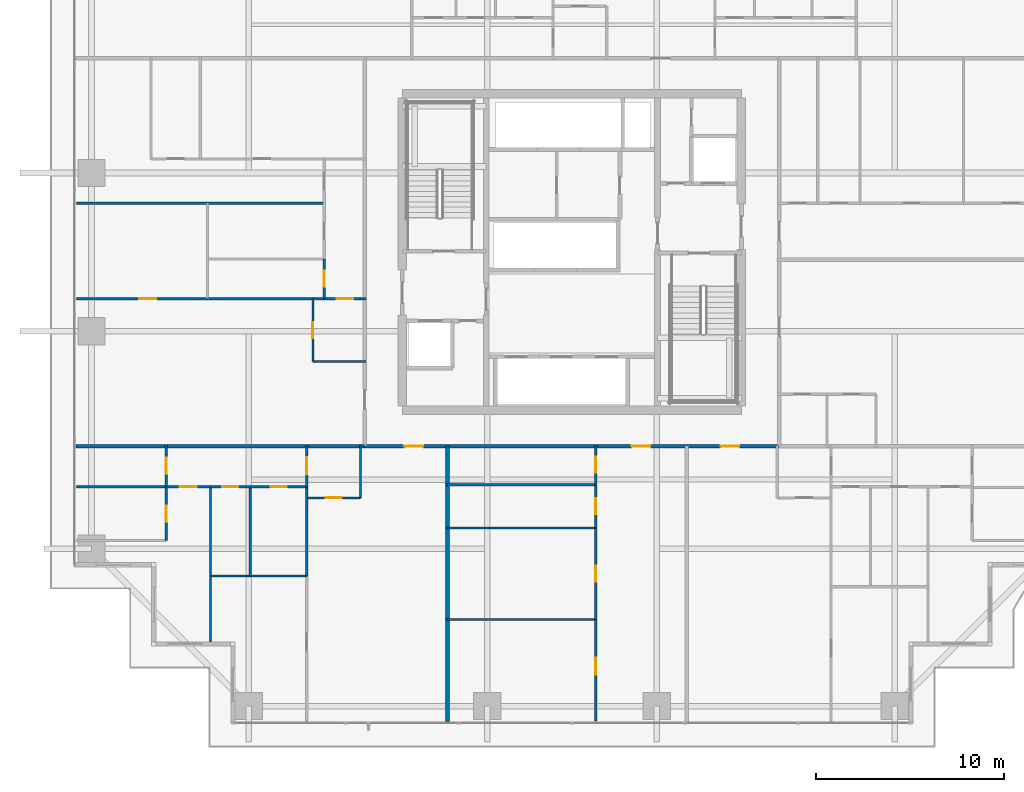
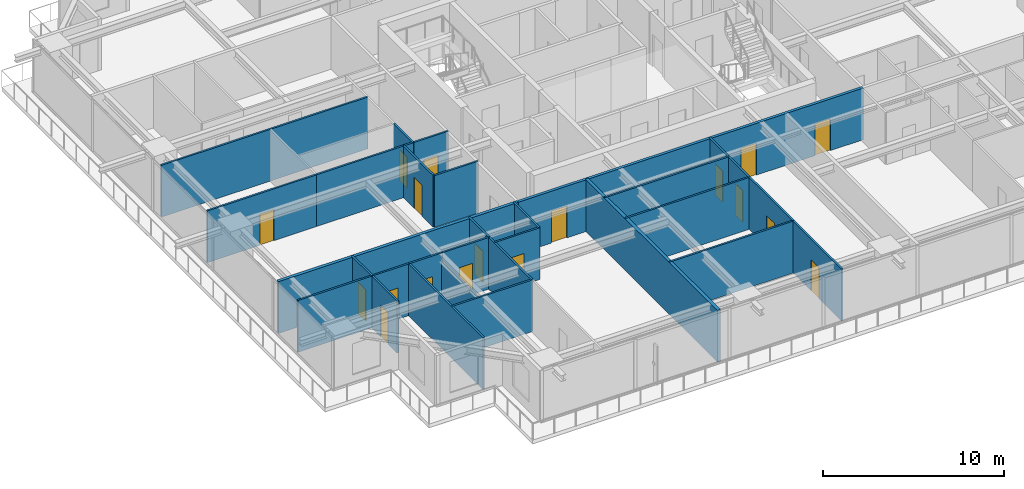
# One storey, part 26 of 38: 30 walls, 18 doors, 18 openings.
"""IFC4 building model written with IfcOpenShell, lengths in metres."""

import ifcopenshell
import ifcopenshell.guid

model = None  # the IFC model being written
_history = None  # IfcOwnerHistory: only IFC2X3 demands one
_inside = {}  # id of a spatial element -> (the spatial element, [elements in it])
_under = {}  # id of a project, library or spatial element -> (it, [spatial elements below it])
_declared = {}  # id of a project -> (the project, [libraries it declares])
_typed = {}  # id of a type object -> (the type object, [elements of that type])
_made_of = {}  # id of a material, layer set ... -> (it, [elements and type objects made of it])


def new_model(schema):
    """Start an empty IFC model of exactly this schema.

    Asked for "IFC4X3", IfcOpenShell would pick the latest addendum, in which some entities
    have other attributes; the version numbers below select the first issue.
    IFC2X3 requires an IfcOwnerHistory on every rooted entity: one is made here for all.
    """
    global model, _history
    if schema == "IFC4X3":
        model = ifcopenshell.file(schema_version=(4, 3, 0, 0))
    else:
        model = ifcopenshell.file(schema=schema)
    _inside.clear()
    _under.clear()
    _declared.clear()
    _typed.clear()
    _made_of.clear()
    _history = None
    if model.schema == "IFC2X3":
        org = make("IfcOrganization", Name="unknown")
        user = make(
            "IfcPersonAndOrganization",
            ThePerson=make("IfcPerson", FamilyName="unknown"),
            TheOrganization=org,
        )
        app = make(
            "IfcApplication",
            ApplicationDeveloper=org,
            Version="unknown",
            ApplicationFullName="unknown",
            ApplicationIdentifier="unknown",
        )
        _history = make(
            "IfcOwnerHistory",
            OwningUser=user,
            OwningApplication=app,
            ChangeAction="ADDED",
            CreationDate=0,
        )
    return model


def make(cls, **values):
    """One entity of the class cls with the attributes given. An attribute that is None is left unset."""
    return model.create_entity(
        cls, **{name: value for name, value in values.items() if value is not None}
    )


def rooted(cls, **values):
    """An entity with a GlobalId (a new one), such as an element, a storey or a relation."""
    return make(cls, GlobalId=ifcopenshell.guid.new(), OwnerHistory=_history, **values)


def si_unit(unit_type, name, prefix=None):
    """IfcSIUnit, for example si_unit("LENGTHUNIT", "METRE", prefix="MILLI")."""
    return make("IfcSIUnit", UnitType=unit_type, Prefix=prefix, Name=name)


def assignment(units):
    """IfcUnitAssignment: the units of a project."""
    return None if units is None else make("IfcUnitAssignment", Units=units)


def point(xyz):
    """IfcCartesianPoint."""
    return None if xyz is None else make("IfcCartesianPoint", Coordinates=xyz)


def direction(xyz):
    """IfcDirection."""
    return None if xyz is None else make("IfcDirection", DirectionRatios=xyz)


def frame(location, z_axis=None, x_axis=None):
    """IfcAxis2Placement3D, a coordinate frame: its origin and axes. An axis left out is left unset."""
    return make(
        "IfcAxis2Placement3D",
        Location=point(location),
        Axis=direction(z_axis),
        RefDirection=direction(x_axis),
    )


def frame_2d(location, x_axis=None):
    """IfcAxis2Placement2D, a coordinate frame in the plane: its origin and x axis."""
    return make(
        "IfcAxis2Placement2D", Location=point(location), RefDirection=direction(x_axis)
    )


def origin():
    """The frame at (0, 0, 0) with its axes left unset."""
    return frame((0.0, 0.0, 0.0))


def place(relative_to, where):
    """IfcLocalPlacement: puts the frame where relative to a parent placement (None: the world)."""
    return make(
        "IfcLocalPlacement", PlacementRelTo=relative_to, RelativePlacement=where
    )


def context(
    kind, dimensions, precision=None, world=None, true_north=None, identifier=None
):
    """IfcGeometricRepresentationContext, for example the 3D "Model" context."""
    return make(
        "IfcGeometricRepresentationContext",
        ContextIdentifier=identifier,
        ContextType=kind,
        CoordinateSpaceDimension=dimensions,
        Precision=precision,
        WorldCoordinateSystem=world,
        TrueNorth=true_north,
    )


def subcontext(parent, identifier, kind, view, scale=None):
    """IfcGeometricRepresentationSubContext, for example "Body" below "Model"."""
    return make(
        "IfcGeometricRepresentationSubContext",
        ContextIdentifier=identifier,
        ContextType=kind,
        ParentContext=parent,
        TargetScale=scale,
        TargetView=view,
    )


def project(units=None, contexts=None):
    """IfcProject with its units and contexts."""
    return rooted(
        "IfcProject",
        Name="project",
        RepresentationContexts=contexts,
        UnitsInContext=assignment(units),
    )


def spatial(cls, under=None, at=None, **own):
    """A site, building, storey or space (cls), placed at a placement, below another one or the project."""
    s = rooted(cls, ObjectPlacement=at, **own)
    if under is not None:
        _under.setdefault(under.id(), (under, []))[1].append(s)
    return s


def profile(cls, at=None, kind="AREA", **sizes):
    """A parametric profile (cls). Its sizes go by their IFC names, for example OverallWidth=200.0."""
    return make(cls, ProfileType=kind, Position=at, **sizes)


def rectangle(**sizes):
    """IfcRectangleProfileDef."""
    return profile("IfcRectangleProfileDef", **sizes)


def extrude(swept, where, along, depth):
    """IfcExtrudedAreaSolid: the profile swept, set in the frame where, extruded along a direction by depth."""
    return make(
        "IfcExtrudedAreaSolid",
        SweptArea=swept,
        Position=where,
        ExtrudedDirection=direction(along),
        Depth=depth,
    )


def shape(context_of_items, identifier, shape_type, items):
    """IfcShapeRepresentation: the items that make up one representation, for example the "Body"."""
    return make(
        "IfcShapeRepresentation",
        ContextOfItems=context_of_items,
        RepresentationIdentifier=identifier,
        RepresentationType=shape_type,
        Items=items,
    )


def source(mapping_origin, context_of_items, identifier, shape_type, items):
    """IfcRepresentationMap: a shape defined once, which mapped items show again and again."""
    return make(
        "IfcRepresentationMap",
        MappingOrigin=mapping_origin,
        MappedRepresentation=shape(context_of_items, identifier, shape_type, items),
    )


def transform(
    local_origin,
    x_axis=None,
    y_axis=None,
    z_axis=None,
    scale=None,
    scale2=None,
    scale3=None,
    uniform=True,
):
    """IfcCartesianTransformationOperator3D, or its non-uniform kind. x_axis, y_axis, z_axis: its Axis1, 2, 3."""
    if uniform:
        return make(
            "IfcCartesianTransformationOperator3D",
            Axis1=direction(x_axis),
            Axis2=direction(y_axis),
            LocalOrigin=point(local_origin),
            Scale=scale,
            Axis3=direction(z_axis),
        )
    return make(
        "IfcCartesianTransformationOperator3DnonUniform",
        Axis1=direction(x_axis),
        Axis2=direction(y_axis),
        LocalOrigin=point(local_origin),
        Scale=scale,
        Axis3=direction(z_axis),
        Scale2=scale2,
        Scale3=scale3,
    )


def mapped(mapping_source, mapping_target):
    """IfcMappedItem: shows the shape of a source again, moved by a transform."""
    return make(
        "IfcMappedItem", MappingSource=mapping_source, MappingTarget=mapping_target
    )


def material(Name=None, Category=None):
    """IfcMaterial."""
    return make("IfcMaterial", Name=Name, Category=Category)


def layer(
    of_material, thickness, ventilated=None, Name=None, Category=None, Priority=None
):
    """IfcMaterialLayer: one layer of a wall or slab, of a material (None: an air gap)."""
    return make(
        "IfcMaterialLayer",
        Material=of_material,
        LayerThickness=thickness,
        IsVentilated=ventilated,
        Name=Name,
        Category=Category,
        Priority=Priority,
    )


def layer_set(layers, Name=None):
    """IfcMaterialLayerSet."""
    return make("IfcMaterialLayerSet", MaterialLayers=layers, LayerSetName=Name)


def made_of(thing, what):
    """Note that an element or type object is made of a material, layer set ...; save() writes the relation."""
    if what is not None:
        _made_of.setdefault(what.id(), (what, []))[1].append(thing)
    return thing


def type_object(cls, material=None, **own):
    """A type object (cls), such as IfcWallType, which elements share."""
    return made_of(rooted(cls, **own), material)


def element(
    cls,
    number,
    at=None,
    inside=None,
    cuts=None,
    type_object=None,
    material=None,
    context=None,
    identifier="Body",
    shape_type=None,
    held_by="IfcProductDefinitionShape",
    body=None,
    shapes=None,
    **own,
):
    """One element of the class cls, such as IfcWall. Its Tag is "e" and its number.

    at: its placement. inside: the storey or other place that contains it. cuts: it is an
    opening in that element (IfcRelVoidsElement). A single representation is given by context,
    identifier, shape_type and body (its items); several are given by shapes. held_by: the class
    of the entity that holds the representations. save() writes the other relations.
    """
    e = rooted(cls, Tag="e%d" % number, ObjectPlacement=at, **own)
    if body is not None:
        shapes = [shape(context, identifier, shape_type, body)]
    if shapes is not None:
        e.Representation = make(held_by, Representations=shapes)
    if inside is not None:
        _inside.setdefault(inside.id(), (inside, []))[1].append(e)
    if cuts is not None:
        rooted(
            "IfcRelVoidsElement", RelatingBuildingElement=cuts, RelatedOpeningElement=e
        )
    if type_object is not None:
        _typed.setdefault(type_object.id(), (type_object, []))[1].append(e)
    return made_of(e, material)


def fill(opening, filler):
    """IfcRelFillsElement: the door or window that sits in an opening."""
    return rooted(
        "IfcRelFillsElement",
        RelatingOpeningElement=opening,
        RelatedBuildingElement=filler,
    )


def aggregate(whole, parts):
    """IfcRelAggregates: a whole, such as a stair, and the parts it consists of."""
    return rooted("IfcRelAggregates", RelatingObject=whole, RelatedObjects=parts)


def save(model, path):
    """Write the relations noted so far, then the file.

    IfcRelAggregates (storeys below a building ...), IfcRelContainedInSpatialStructure (elements
    in a storey), IfcRelDefinesByType, IfcRelAssociatesMaterial and IfcRelDeclares: one each for
    every whole, place, type object, material and project.
    """
    for whole, parts in _under.values():
        aggregate(whole, parts)
    for where, things in _inside.values():
        rooted(
            "IfcRelContainedInSpatialStructure",
            RelatedElements=things,
            RelatingStructure=where,
        )
    for kind, things in _typed.values():
        rooted("IfcRelDefinesByType", RelatedObjects=things, RelatingType=kind)
    for what, things in _made_of.values():
        rooted("IfcRelAssociatesMaterial", RelatedObjects=things, RelatingMaterial=what)
    for by, libraries in _declared.values():
        rooted("IfcRelDeclares", RelatingContext=by, RelatedDefinitions=libraries)
    model.write(path)


model = new_model("IFC4")

# Units and contexts
model_context = context("Model", 3, precision=1e-05, world=origin(), true_north=direction((0.0, 1.0)))
body_context = subcontext(model_context, "Body", "Model", "MODEL_VIEW")
ifc_project = project(units=[si_unit("LENGTHUNIT", "METRE"), si_unit("AREAUNIT", "SQUARE_METRE"), si_unit("VOLUMEUNIT", "CUBIC_METRE"), si_unit("PLANEANGLEUNIT", "RADIAN"), si_unit("MASSUNIT", "GRAM", prefix="KILO")], contexts=[model_context])

# Site, building, storey
site_placement = place(None, origin())
site = spatial("IfcSite", under=ifc_project, at=site_placement, CompositionType="ELEMENT")
building_placement = place(site_placement, origin())
building = spatial("IfcBuilding", under=site, at=building_placement, Name="Serunith Strait Residences", CompositionType="ELEMENT")
storey_placement = place(building_placement, frame((0.0, 0.0, 52.949951171875)))
storey = spatial("IfcBuildingStorey", under=building, at=storey_placement, Name="L12", CompositionType="ELEMENT", Elevation=52.949951171875)

# Wall, openings, doors
ifc_material_1 = material(Name="Fire-rated acoustic gypsum partition")
ifc_layer_1 = layer(ifc_material_1, 0.179931640625, Name="Fire-rated acoustic gypsum partition")
ifc_layer_set_1 = layer_set([ifc_layer_1], Name="Fire-rated acoustic gypsum partition")
wall_type_1 = type_object("IfcWallType", Name="IW-CORR-180", PredefinedType="PARTITIONING", material=ifc_layer_set_1)
wall_1_placement = place(storey_placement, frame((21.402099609375, 14.89990234375, 0.0), z_axis=(0.0, 0.0, 1.0), x_axis=(1.0, 0.0, 0.0)))
wall_1 = element("IfcWall", 1, at=wall_1_placement, inside=storey, type_object=wall_type_1, Name="L12 Partition Wall 022", PredefinedType="PARTITIONING", context=body_context, shape_type="SweptSolid", body=[
    extrude(rectangle(XDim=21.995849609375, YDim=0.179931640625, at=frame_2d((10.998046875, 0.0))), origin(), (0.0, 0.0, 1.0), 3.489990234375),
])
opening_1_placement = place(wall_1_placement, frame((2.10009765625, 0.0, 0.0)))
opening_1 = element("IfcOpeningElement", 2, at=opening_1_placement, cuts=wall_1, Name="Opening D-APT1000", PredefinedType="OPENING", context=body_context, shape_type="SweptSolid", body=[
    extrude(rectangle(XDim=1.0, YDim=2.14990234375, at=frame_2d((0.5, 1.074951171875))), frame((0.0, 0.10009765625, 0.0), z_axis=(0.0, -1.0, 0.0), x_axis=(1.0, 0.0, 0.0)), (0.0, 0.0, 1.0), 0.199951171875),
])
opening_2_placement = place(wall_1_placement, frame((14.172119140625, 0.0, 0.0)))
opening_2 = element("IfcOpeningElement", 3, at=opening_2_placement, cuts=wall_1, Name="Opening D-APT1000", PredefinedType="OPENING", context=body_context, shape_type="SweptSolid", body=[
    extrude(rectangle(XDim=1.0, YDim=2.14990234375, at=frame_2d((0.5, 1.074951171875))), frame((0.0, 0.10009765625, 0.0), z_axis=(0.0, -1.0, 0.0), x_axis=(1.0, 0.0, 0.0)), (0.0, 0.0, 1.0), 0.199951171875),
])
opening_3_placement = place(wall_1_placement, frame((18.89599609375, 0.0, 0.0)))
opening_3 = element("IfcOpeningElement", 4, at=opening_3_placement, cuts=wall_1, Name="Opening D-APT1000", PredefinedType="OPENING", context=body_context, shape_type="SweptSolid", body=[
    extrude(rectangle(XDim=1.0, YDim=2.14990234375, at=frame_2d((0.5, 1.074951171875))), frame((0.0, 0.10009765625, 0.0), z_axis=(0.0, -1.0, 0.0), x_axis=(1.0, 0.0, 0.0)), (0.0, 0.0, 1.0), 0.199951171875),
])
ifc_material_2 = material(Name="Solid timber engineered fire door", Category="wood")
door_type_1 = type_object("IfcDoorType", Name="ID-APT-1000", OperationType="NOTDEFINED", PredefinedType="DOOR", material=ifc_material_2)
shared_shape_1 = source(origin(), body_context, "Body", "SweptSolid", [
    extrude(rectangle(XDim=1.0, YDim=2.14990234375, at=frame_2d((0.5, 1.074951171875))), frame((0.0, 0.02490234375, 0.0), z_axis=(0.0, -1.0, 0.0), x_axis=(1.0, 0.0, 0.0)), (0.0, 0.0, 1.0), 0.050048828125),
])
door_1_placement = place(opening_1_placement, origin())
door_1 = element("IfcDoor", 5, at=door_1_placement, inside=storey, type_object=door_type_1, Name="L12 Unit 01 Entrance Door", OperationType="SINGLE_SWING_LEFT", OverallHeight=2.14990234375, OverallWidth=1.0, PredefinedType="DOOR", context=body_context, shape_type="MappedRepresentation", body=[
    mapped(shared_shape_1, transform((0.0, 0.0, 0.0), scale=1.0)),
])
fill(opening_1, door_1)
door_2_placement = place(opening_2_placement, origin())
door_2 = element("IfcDoor", 6, at=door_2_placement, inside=storey, type_object=door_type_1, Name="L12 Unit 02 Entrance Door", OperationType="SINGLE_SWING_RIGHT", OverallHeight=2.14990234375, OverallWidth=1.0, PredefinedType="DOOR", context=body_context, shape_type="MappedRepresentation", body=[
    mapped(shared_shape_1, transform((0.0, 0.0, 0.0), scale=1.0)),
])
fill(opening_2, door_2)
door_3_placement = place(opening_3_placement, origin())
door_3 = element("IfcDoor", 7, at=door_3_placement, inside=storey, type_object=door_type_1, Name="L12 Unit 03 Entrance Door", OperationType="SINGLE_SWING_LEFT", OverallHeight=2.14990234375, OverallWidth=1.0, PredefinedType="DOOR", context=body_context, shape_type="MappedRepresentation", body=[
    mapped(shared_shape_1, transform((0.0, 0.0, 0.0), scale=1.0)),
])
fill(opening_3, door_3)

# Wall, opening, door
ifc_material_3 = material(Name="Lightweight steel-stud gypsum partition", Category="steel")
ifc_layer_2 = layer(ifc_material_3, 0.1201171875, Name="Lightweight steel-stud gypsum partition")
ifc_layer_set_2 = layer_set([ifc_layer_2], Name="Lightweight steel-stud gypsum partition")
wall_type_2 = type_object("IfcWallType", Name="IW-PART-120", PredefinedType="PARTITIONING", material=ifc_layer_set_2)
wall_2_placement = place(storey_placement, frame((18.330078125, 12.14990234375, 0.0), z_axis=(0.0, 0.0, 1.0), x_axis=(1.0, 0.0, 0.0)))
wall_2 = element("IfcWall", 8, at=wall_2_placement, inside=storey, type_object=wall_type_2, Name="L12 Partition Wall 026", PredefinedType="PARTITIONING", context=body_context, shape_type="SweptSolid", body=[
    extrude(rectangle(XDim=2.849853515625, YDim=0.1201171875, at=frame_2d((1.4248046875, 0.0))), origin(), (0.0, 0.0, 1.0), 3.489990234375),
])
opening_4_placement = place(wall_2_placement, frame((1.0, 0.0, 0.0)))
opening_4 = element("IfcOpeningElement", 9, at=opening_4_placement, cuts=wall_2, Name="Opening D-RM850", PredefinedType="OPENING", context=body_context, shape_type="SweptSolid", body=[
    extrude(rectangle(XDim=0.85009765625, YDim=2.10009765625, at=frame_2d((0.425048828125, 1.050048828125))), frame((0.0, 0.070068359375, 0.0), z_axis=(0.0, -1.0, 0.0), x_axis=(1.0, 0.0, 0.0)), (0.0, 0.0, 1.0), 0.14013671875),
])
ifc_material_4 = material(Name="Engineered timber flush study and kitchen door", Category="wood")
door_type_2 = type_object("IfcDoorType", Name="ID-ROOM-850", OperationType="NOTDEFINED", PredefinedType="DOOR", material=ifc_material_4)
shared_shape_2 = source(origin(), body_context, "Body", "SweptSolid", [
    extrude(rectangle(XDim=0.85009765625, YDim=2.10009765625, at=frame_2d((0.425048828125, 1.050048828125))), frame((0.0, 0.02490234375, 0.0), z_axis=(0.0, -1.0, 0.0), x_axis=(1.0, 0.0, 0.0)), (0.0, 0.0, 1.0), 0.050048828125),
])
door_4_placement = place(opening_4_placement, origin())
door_4 = element("IfcDoor", 10, at=door_4_placement, inside=storey, type_object=door_type_2, Name="L12 Kitchen 1201 Door", OperationType="SINGLE_SWING_RIGHT", OverallHeight=2.10009765625, OverallWidth=0.85009765625, PredefinedType="DOOR", context=body_context, shape_type="MappedRepresentation", body=[
    mapped(shared_shape_2, transform((0.0, 0.0, 0.0), scale=1.0)),
])
fill(opening_4, door_4)

# Wall
wall_3_placement = place(storey_placement, frame((21.179931640625, 12.14990234375, 0.0), z_axis=(0.0, 0.0, 1.0), x_axis=(0.0, 1.0, 0.0)))
element("IfcWall", 11, at=wall_3_placement, inside=storey, type_object=wall_type_2, Name="L12 Partition Wall 027", PredefinedType="PARTITIONING", context=body_context, shape_type="SweptSolid", body=[
    extrude(rectangle(XDim=2.81005859375, YDim=0.1201171875, at=frame_2d((1.405029296875, 0.0))), origin(), (0.0, 0.0, 1.0), 3.489990234375),
])

# Wall, opening, door
wall_4_placement = place(storey_placement, frame((18.330078125, 12.75, 0.0), z_axis=(0.0, 0.0, 1.0), x_axis=(0.0, 1.0, 0.0)))
wall_4 = element("IfcWall", 12, at=wall_4_placement, inside=storey, type_object=wall_type_2, Name="L12 Partition Wall 028", PredefinedType="PARTITIONING", context=body_context, shape_type="SweptSolid", body=[
    extrude(rectangle(XDim=2.2099609375, YDim=0.1201171875, at=frame_2d((1.10498046875, 0.0))), origin(), (0.0, 0.0, 1.0), 3.489990234375),
])
opening_5_placement = place(wall_4_placement, frame((0.655029296875, 0.0, 0.0)))
opening_5 = element("IfcOpeningElement", 13, at=opening_5_placement, cuts=wall_4, Name="Opening D-RM900", PredefinedType="OPENING", context=body_context, shape_type="SweptSolid", body=[
    extrude(rectangle(XDim=0.89990234375, YDim=2.10009765625, at=frame_2d((0.449951171875, 1.050048828125))), frame((0.0, 0.070068359375, 0.0), z_axis=(0.0, -1.0, 0.0), x_axis=(1.0, 0.0, 0.0)), (0.0, 0.0, 1.0), 0.14013671875),
])
ifc_material_5 = material(Name="Engineered timber flush bedroom door", Category="wood")
door_type_3 = type_object("IfcDoorType", Name="ID-ROOM-900", OperationType="NOTDEFINED", PredefinedType="DOOR", material=ifc_material_5)
shared_shape_3 = source(origin(), body_context, "Body", "SweptSolid", [
    extrude(rectangle(XDim=0.89990234375, YDim=2.10009765625, at=frame_2d((0.449951171875, 1.050048828125))), frame((0.0, 0.02490234375, 0.0), z_axis=(0.0, -1.0, 0.0), x_axis=(1.0, 0.0, 0.0)), (0.0, 0.0, 1.0), 0.050048828125),
])
door_5_placement = place(opening_5_placement, origin())
door_5 = element("IfcDoor", 14, at=door_5_placement, inside=storey, type_object=door_type_3, Name="L12 Hall W 1201 Door", OperationType="SINGLE_SWING_LEFT", OverallHeight=2.10009765625, OverallWidth=0.89990234375, PredefinedType="DOOR", context=body_context, shape_type="MappedRepresentation", body=[
    mapped(shared_shape_3, transform((0.0, 0.0, 0.0), scale=1.0)),
])
fill(opening_5, door_5)

# Walls
wall_5_placement = place(storey_placement, frame((18.330078125, 8.00390625, 0.0), z_axis=(0.0, 0.0, 1.0), x_axis=(0.0, 1.0, 0.0)))
element("IfcWall", 15, at=wall_5_placement, inside=storey, type_object=wall_type_2, Name="L12 Partition Wall 030", PredefinedType="PARTITIONING", context=body_context, shape_type="SweptSolid", body=[
    extrude(rectangle(XDim=4.744140625, YDim=0.1201171875, at=frame_2d((2.3720703125, 0.0))), origin(), (0.0, 0.0, 1.0), 3.489990234375),
])
wall_6_placement = place(storey_placement, frame((13.219970703125, 8.001953125, 0.0), z_axis=(0.0, 0.0, 1.0), x_axis=(1.0, 0.0, 0.0)))
element("IfcWall", 16, at=wall_6_placement, inside=storey, type_object=wall_type_2, Name="L12 Partition Wall 031", PredefinedType="PARTITIONING", context=body_context, shape_type="SweptSolid", body=[
    extrude(rectangle(XDim=5.110107421875, YDim=0.1201171875, at=frame_2d((2.55517578125, 0.0))), origin(), (0.0, 0.0, 1.0), 3.489990234375),
])
wall_7_placement = place(storey_placement, frame((13.219970703125, 4.4951171875, 0.0), z_axis=(0.0, 0.0, 1.0), x_axis=(0.0, 1.0, 0.0)))
element("IfcWall", 17, at=wall_7_placement, inside=storey, type_object=wall_type_2, Name="L12 Partition Wall 032", PredefinedType="PARTITIONING", context=body_context, shape_type="SweptSolid", body=[
    extrude(rectangle(XDim=8.2548828125, YDim=0.1201171875, at=frame_2d((4.12744140625, 0.0))), origin(), (0.0, 0.0, 1.0), 3.489990234375),
])
wall_8_placement = place(storey_placement, frame((15.320068359375, 8.001953125, 0.0), z_axis=(0.0, 0.0, 1.0), x_axis=(0.0, 1.0, 0.0)))
element("IfcWall", 18, at=wall_8_placement, inside=storey, type_object=wall_type_2, Name="L12 Partition Wall 033", PredefinedType="PARTITIONING", context=body_context, shape_type="SweptSolid", body=[
    extrude(rectangle(XDim=4.748046875, YDim=0.1201171875, at=frame_2d((2.3740234375, 0.0))), origin(), (0.0, 0.0, 1.0), 2.922119140625),
])

# Wall, opening, door
wall_9_placement = place(storey_placement, frame((13.219970703125, 12.75, 0.0), z_axis=(0.0, 0.0, 1.0), x_axis=(1.0, 0.0, 0.0)))
wall_9 = element("IfcWall", 19, at=wall_9_placement, inside=storey, type_object=wall_type_2, Name="L12 Partition Wall 034", PredefinedType="PARTITIONING", context=body_context, shape_type="SweptSolid", body=[
    extrude(rectangle(XDim=2.10009765625, YDim=0.1201171875, at=frame_2d((1.050048828125, 0.0))), origin(), (0.0, 0.0, 1.0), 3.489990234375),
])
opening_6_placement = place(wall_9_placement, frame((0.625, 0.0, 0.0)))
opening_6 = element("IfcOpeningElement", 20, at=opening_6_placement, cuts=wall_9, Name="Opening D-BTH850", PredefinedType="OPENING", context=body_context, shape_type="SweptSolid", body=[
    extrude(rectangle(XDim=0.85009765625, YDim=2.10009765625, at=frame_2d((0.425048828125, 1.050048828125))), frame((0.0, 0.070068359375, 0.0), z_axis=(0.0, -1.0, 0.0), x_axis=(1.0, 0.0, 0.0)), (0.0, 0.0, 1.0), 0.14013671875),
])
ifc_material_6 = material(Name="Moisture-resistant timber bathroom door", Category="wood")
door_type_4 = type_object("IfcDoorType", Name="ID-BATH-850", OperationType="NOTDEFINED", PredefinedType="DOOR", material=ifc_material_6)
door_6_placement = place(opening_6_placement, origin())
door_6 = element("IfcDoor", 21, at=door_6_placement, inside=storey, type_object=door_type_4, Name="L12 Bathroom 1201 Door", OperationType="SINGLE_SWING_LEFT", OverallHeight=2.10009765625, OverallWidth=0.85009765625, PredefinedType="DOOR", context=body_context, shape_type="MappedRepresentation", body=[
    mapped(shared_shape_2, transform((0.0, 0.0, 0.0), scale=1.0)),
])
fill(opening_6, door_6)

wall_10_placement = place(storey_placement, frame((15.322021484375, 12.75, 0.0), z_axis=(0.0, 0.0, 1.0), x_axis=(1.0, 0.0, 0.0)))
wall_10 = element("IfcWall", 22, at=wall_10_placement, inside=storey, type_object=wall_type_2, Name="L12 Partition Wall 035", PredefinedType="PARTITIONING", context=body_context, shape_type="SweptSolid", body=[
    extrude(rectangle(XDim=3.008056640625, YDim=0.1201171875, at=frame_2d((1.50390625, 0.0))), origin(), (0.0, 0.0, 1.0), 3.489990234375),
])
opening_7_placement = place(wall_10_placement, frame((1.0791015625, 0.0, 0.0)))
opening_7 = element("IfcOpeningElement", 23, at=opening_7_placement, cuts=wall_10, Name="Opening D-RM850", PredefinedType="OPENING", context=body_context, shape_type="SweptSolid", body=[
    extrude(rectangle(XDim=0.85009765625, YDim=2.10009765625, at=frame_2d((0.425048828125, 1.050048828125))), frame((0.0, 0.070068359375, 0.0), z_axis=(0.0, -1.0, 0.0), x_axis=(1.0, 0.0, 0.0)), (0.0, 0.0, 1.0), 0.14013671875),
])
door_7_placement = place(opening_7_placement, origin())
door_7 = element("IfcDoor", 24, at=door_7_placement, inside=storey, type_object=door_type_2, Name="L12 Laundry Room 1201 Door", OperationType="SINGLE_SWING_RIGHT", OverallHeight=2.10009765625, OverallWidth=0.85009765625, PredefinedType="DOOR", context=body_context, shape_type="MappedRepresentation", body=[
    mapped(shared_shape_2, transform((0.0, 0.0, 0.0), scale=1.0)),
])
fill(opening_7, door_7)

wall_11_placement = place(storey_placement, frame((10.8701171875, 12.75, 0.0), z_axis=(0.0, 0.0, 1.0), x_axis=(1.0, 0.0, 0.0)))
wall_11 = element("IfcWall", 25, at=wall_11_placement, inside=storey, type_object=wall_type_2, Name="L12 Partition Wall 036", PredefinedType="PARTITIONING", context=body_context, shape_type="SweptSolid", body=[
    extrude(rectangle(XDim=2.347900390625, YDim=0.1201171875, at=frame_2d((1.173828125, 0.0))), origin(), (0.0, 0.0, 1.0), 3.489990234375),
])
opening_8_placement = place(wall_11_placement, frame((0.72412109375, 0.0, 0.0)))
opening_8 = element("IfcOpeningElement", 26, at=opening_8_placement, cuts=wall_11, Name="Opening D-RM900", PredefinedType="OPENING", context=body_context, shape_type="SweptSolid", body=[
    extrude(rectangle(XDim=0.89990234375, YDim=2.10009765625, at=frame_2d((0.449951171875, 1.050048828125))), frame((0.0, 0.070068359375, 0.0), z_axis=(0.0, -1.0, 0.0), x_axis=(1.0, 0.0, 0.0)), (0.0, 0.0, 1.0), 0.14013671875),
])
door_8_placement = place(opening_8_placement, origin())
door_8 = element("IfcDoor", 27, at=door_8_placement, inside=storey, type_object=door_type_3, Name="L12 Master Bedroom W 1201 Door", OperationType="SINGLE_SWING_LEFT", OverallHeight=2.10009765625, OverallWidth=0.89990234375, PredefinedType="DOOR", context=body_context, shape_type="MappedRepresentation", body=[
    mapped(shared_shape_3, transform((0.0, 0.0, 0.0), scale=1.0)),
])
fill(opening_8, door_8)

# Wall
wall_12_placement = place(storey_placement, frame((6.094970703125, 12.75, 0.0), z_axis=(0.0, 0.0, 1.0), x_axis=(1.0, 0.0, 0.0)))
element("IfcWall", 28, at=wall_12_placement, inside=storey, type_object=wall_type_2, Name="L12 Partition Wall 038", PredefinedType="PARTITIONING", context=body_context, shape_type="SweptSolid", body=[
    extrude(rectangle(XDim=4.77294921875, YDim=0.1201171875, at=frame_2d((2.386474609375, 0.0))), origin(), (0.0, 0.0, 1.0), 3.489990234375),
])

# Wall, opening, door
wall_13_placement = place(storey_placement, frame((10.8701171875, 9.89404296875, 0.0), z_axis=(0.0, 0.0, 1.0), x_axis=(0.0, 1.0, 0.0)))
wall_13 = element("IfcWall", 29, at=wall_13_placement, inside=storey, type_object=wall_type_2, Name="L12 Partition Wall 039", PredefinedType="PARTITIONING", context=body_context, shape_type="SweptSolid", body=[
    extrude(rectangle(XDim=2.85595703125, YDim=0.1201171875, at=frame_2d((1.427978515625, 0.0))), origin(), (0.0, 0.0, 1.0), 3.489990234375),
])
opening_9_placement = place(wall_13_placement, frame((1.0029296875, 0.0, 0.0)))
opening_9 = element("IfcOpeningElement", 30, at=opening_9_placement, cuts=wall_13, Name="Opening D-BTH850", PredefinedType="OPENING", context=body_context, shape_type="SweptSolid", body=[
    extrude(rectangle(XDim=0.85009765625, YDim=2.10009765625, at=frame_2d((0.425048828125, 1.050048828125))), frame((0.0, 0.070068359375, 0.0), z_axis=(0.0, -1.0, 0.0), x_axis=(1.0, 0.0, 0.0)), (0.0, 0.0, 1.0), 0.14013671875),
])
door_9_placement = place(opening_9_placement, origin())
door_9 = element("IfcDoor", 31, at=door_9_placement, inside=storey, type_object=door_type_4, Name="L12 En-suite Bathroom W 1201 Door", OperationType="SINGLE_SWING_RIGHT", OverallHeight=2.10009765625, OverallWidth=0.85009765625, PredefinedType="DOOR", context=body_context, shape_type="MappedRepresentation", body=[
    mapped(shared_shape_2, transform((0.0, 0.0, 0.0), scale=1.0)),
])
fill(opening_9, door_9)

wall_14_placement = place(storey_placement, frame((10.8701171875, 12.751953125, 0.0), z_axis=(0.0, 0.0, 1.0), x_axis=(0.0, 1.0, 0.0)))
wall_14 = element("IfcWall", 32, at=wall_14_placement, inside=storey, type_object=wall_type_2, Name="L12 Partition Wall 040", PredefinedType="PARTITIONING", context=body_context, shape_type="SweptSolid", body=[
    extrude(rectangle(XDim=2.2080078125, YDim=0.1201171875, at=frame_2d((1.10400390625, 0.0))), origin(), (0.0, 0.0, 1.0), 3.489990234375),
])
opening_10_placement = place(wall_14_placement, frame((0.678955078125, 0.0, 0.0)))
opening_10 = element("IfcOpeningElement", 33, at=opening_10_placement, cuts=wall_14, Name="Opening D-RM850", PredefinedType="OPENING", context=body_context, shape_type="SweptSolid", body=[
    extrude(rectangle(XDim=0.85009765625, YDim=2.10009765625, at=frame_2d((0.425048828125, 1.050048828125))), frame((0.0, 0.070068359375, 0.0), z_axis=(0.0, -1.0, 0.0), x_axis=(1.0, 0.0, 0.0)), (0.0, 0.0, 1.0), 0.14013671875),
])
door_10_placement = place(opening_10_placement, origin())
door_10 = element("IfcDoor", 34, at=door_10_placement, inside=storey, type_object=door_type_2, Name="L12 Wardrobe W 1201 Door", OperationType="SINGLE_SWING_LEFT", OverallHeight=2.10009765625, OverallWidth=0.85009765625, PredefinedType="DOOR", context=body_context, shape_type="MappedRepresentation", body=[
    mapped(shared_shape_2, transform((0.0, 0.0, 0.0), scale=1.0)),
])
fill(opening_10, door_10)

wall_15_placement = place(storey_placement, frame((33.669921875, 0.294921875, 0.0), z_axis=(0.0, 0.0, 1.0), x_axis=(0.0, 1.0, 0.0)))
wall_15 = element("IfcWall", 35, at=wall_15_placement, inside=storey, type_object=wall_type_2, Name="L12 Partition Wall 041", PredefinedType="PARTITIONING", context=body_context, shape_type="SweptSolid", body=[
    extrude(rectangle(XDim=5.398193359375, YDim=0.1201171875, at=frame_2d((2.69921875, 0.0))), origin(), (0.0, 0.0, 1.0), 3.489990234375),
])
opening_11_placement = place(wall_15_placement, frame((2.47412109375, 0.0, 0.0)))
opening_11 = element("IfcOpeningElement", 36, at=opening_11_placement, cuts=wall_15, Name="Opening D-RM900", PredefinedType="OPENING", context=body_context, shape_type="SweptSolid", body=[
    extrude(rectangle(XDim=0.89990234375, YDim=2.10009765625, at=frame_2d((0.449951171875, 1.050048828125))), frame((0.0, 0.070068359375, 0.0), z_axis=(0.0, -1.0, 0.0), x_axis=(1.0, 0.0, 0.0)), (0.0, 0.0, 1.0), 0.14013671875),
])
door_11_placement = place(opening_11_placement, origin())
door_11 = element("IfcDoor", 37, at=door_11_placement, inside=storey, type_object=door_type_3, Name="L12 Master Bedroom 1 1202 Door", OperationType="SINGLE_SWING_RIGHT", OverallHeight=2.10009765625, OverallWidth=0.89990234375, PredefinedType="DOOR", context=body_context, shape_type="MappedRepresentation", body=[
    mapped(shared_shape_3, transform((0.0, 0.0, 0.0), scale=1.0)),
])
fill(opening_11, door_11)

# Walls
for number, where, z_axis, x_axis, name in (
    (38, (25.739990234375, 5.693115234375, 0.0), (0.0, 0.0, 1.0), (1.0, 0.0, 0.0), "L12 Partition Wall 042"),
    (39, (25.739990234375, 10.550048828125, 0.0), (0.0, 0.0, 1.0), (1.0, 0.0, 0.0), "L12 Partition Wall 043"),
    (40, (25.739990234375, 12.85009765625, 0.0), (0.0, 0.0, 1.0), (1.0, 0.0, 0.0), "L12 Partition Wall 044"),
):
    element("IfcWall", number, at=place(storey_placement, frame(where, z_axis=z_axis, x_axis=x_axis)), inside=storey, type_object=wall_type_2, Name=name, PredefinedType="PARTITIONING", context=body_context, shape_type="SweptSolid", body=[
        extrude(rectangle(XDim=7.929931640625, YDim=0.1201171875, at=frame_2d((3.96484375, 0.0))), origin(), (0.0, 0.0, 1.0), 3.489990234375),
    ])

# Wall, opening, door
wall_16_placement = place(storey_placement, frame((33.669921875, 5.695068359375, 0.0), z_axis=(0.0, 0.0, 1.0), x_axis=(0.0, 1.0, 0.0)))
wall_16 = element("IfcWall", 41, at=wall_16_placement, inside=storey, type_object=wall_type_2, Name="L12 Partition Wall 045", PredefinedType="PARTITIONING", context=body_context, shape_type="SweptSolid", body=[
    extrude(rectangle(XDim=4.85498046875, YDim=0.1201171875, at=frame_2d((2.427490234375, 0.0))), origin(), (0.0, 0.0, 1.0), 3.489990234375),
])
opening_12_placement = place(wall_16_placement, frame((2.0029296875, 0.0, 0.0)))
opening_12 = element("IfcOpeningElement", 42, at=opening_12_placement, cuts=wall_16, Name="Opening D-RM850", PredefinedType="OPENING", context=body_context, shape_type="SweptSolid", body=[
    extrude(rectangle(XDim=0.85009765625, YDim=2.10009765625, at=frame_2d((0.425048828125, 1.050048828125))), frame((0.0, 0.070068359375, 0.0), z_axis=(0.0, -1.0, 0.0), x_axis=(1.0, 0.0, 0.0)), (0.0, 0.0, 1.0), 0.14013671875),
])
door_12_placement = place(opening_12_placement, origin())
door_12 = element("IfcDoor", 43, at=door_12_placement, inside=storey, type_object=door_type_2, Name="L12 Dining 1202 Door", OperationType="SINGLE_SWING_LEFT", OverallHeight=2.10009765625, OverallWidth=0.85009765625, PredefinedType="DOOR", context=body_context, shape_type="MappedRepresentation", body=[
    mapped(shared_shape_2, transform((0.0, 0.0, 0.0), scale=1.0)),
])
fill(opening_12, door_12)

wall_17_placement = place(storey_placement, frame((33.669921875, 10.552001953125, 0.0), z_axis=(0.0, 0.0, 1.0), x_axis=(0.0, 1.0, 0.0)))
wall_17 = element("IfcWall", 44, at=wall_17_placement, inside=storey, type_object=wall_type_2, Name="L12 Partition Wall 046", PredefinedType="PARTITIONING", context=body_context, shape_type="SweptSolid", body=[
    extrude(rectangle(XDim=2.298095703125, YDim=0.1201171875, at=frame_2d((1.14892578125, 0.0))), origin(), (0.0, 0.0, 1.0), 3.489990234375),
])
opening_13_placement = place(wall_17_placement, frame((0.72412109375, 0.0, 0.0)))
opening_13 = element("IfcOpeningElement", 45, at=opening_13_placement, cuts=wall_17, Name="Opening D-RM850", PredefinedType="OPENING", context=body_context, shape_type="SweptSolid", body=[
    extrude(rectangle(XDim=0.85009765625, YDim=2.10009765625, at=frame_2d((0.425048828125, 1.050048828125))), frame((0.0, 0.070068359375, 0.0), z_axis=(0.0, -1.0, 0.0), x_axis=(1.0, 0.0, 0.0)), (0.0, 0.0, 1.0), 0.14013671875),
])
door_13_placement = place(opening_13_placement, origin())
door_13 = element("IfcDoor", 46, at=door_13_placement, inside=storey, type_object=door_type_2, Name="L12 Kitchen 1202 Door", OperationType="SINGLE_SWING_RIGHT", OverallHeight=2.10009765625, OverallWidth=0.85009765625, PredefinedType="DOOR", context=body_context, shape_type="MappedRepresentation", body=[
    mapped(shared_shape_2, transform((0.0, 0.0, 0.0), scale=1.0)),
])
fill(opening_13, door_13)

wall_18_placement = place(storey_placement, frame((33.669921875, 12.85205078125, 0.0), z_axis=(0.0, 0.0, 1.0), x_axis=(0.0, 1.0, 0.0)))
wall_18 = element("IfcWall", 47, at=wall_18_placement, inside=storey, type_object=wall_type_2, Name="L12 Partition Wall 047", PredefinedType="PARTITIONING", context=body_context, shape_type="SweptSolid", body=[
    extrude(rectangle(XDim=2.10791015625, YDim=0.1201171875, at=frame_2d((1.053955078125, 0.0))), origin(), (0.0, 0.0, 1.0), 3.489990234375),
])
opening_14_placement = place(wall_18_placement, frame((0.62890625, 0.0, 0.0)))
opening_14 = element("IfcOpeningElement", 48, at=opening_14_placement, cuts=wall_18, Name="Opening D-BTH850", PredefinedType="OPENING", context=body_context, shape_type="SweptSolid", body=[
    extrude(rectangle(XDim=0.85009765625, YDim=2.10009765625, at=frame_2d((0.425048828125, 1.050048828125))), frame((0.0, 0.070068359375, 0.0), z_axis=(0.0, -1.0, 0.0), x_axis=(1.0, 0.0, 0.0)), (0.0, 0.0, 1.0), 0.14013671875),
])
door_14_placement = place(opening_14_placement, origin())
door_14 = element("IfcDoor", 49, at=door_14_placement, inside=storey, type_object=door_type_4, Name="L12 Bathroom 1202 Door", OperationType="SINGLE_SWING_LEFT", OverallHeight=2.10009765625, OverallWidth=0.85009765625, PredefinedType="DOOR", context=body_context, shape_type="MappedRepresentation", body=[
    mapped(shared_shape_2, transform((0.0, 0.0, 0.0), scale=1.0)),
])
fill(opening_14, door_14)

wall_19_placement = place(storey_placement, frame((18.64990234375, 19.39990234375, 0.0), z_axis=(0.0, 0.0, 1.0), x_axis=(0.0, 1.0, 0.0)))
wall_19 = element("IfcWall", 50, at=wall_19_placement, inside=storey, type_object=wall_type_2, Name="L12 Partition Wall 095", PredefinedType="PARTITIONING", context=body_context, shape_type="SweptSolid", body=[
    extrude(rectangle(XDim=3.330078125, YDim=0.1201171875, at=frame_2d((1.6650390625, 0.0))), origin(), (0.0, 0.0, 1.0), 3.489990234375),
])
opening_15_placement = place(wall_19_placement, frame((1.239990234375, 0.0, 0.0)))
opening_15 = element("IfcOpeningElement", 51, at=opening_15_placement, cuts=wall_19, Name="Opening D-RM850", PredefinedType="OPENING", context=body_context, shape_type="SweptSolid", body=[
    extrude(rectangle(XDim=0.85009765625, YDim=2.10009765625, at=frame_2d((0.425048828125, 1.050048828125))), frame((0.0, 0.070068359375, 0.0), z_axis=(0.0, -1.0, 0.0), x_axis=(1.0, 0.0, 0.0)), (0.0, 0.0, 1.0), 0.14013671875),
])
door_15_placement = place(opening_15_placement, origin())
door_15 = element("IfcDoor", 52, at=door_15_placement, inside=storey, type_object=door_type_2, Name="L12 Kitchen 1205 Door", OperationType="SINGLE_SWING_LEFT", OverallHeight=2.10009765625, OverallWidth=0.85009765625, PredefinedType="DOOR", context=body_context, shape_type="MappedRepresentation", body=[
    mapped(shared_shape_2, transform((0.0, 0.0, 0.0), scale=1.0)),
])
fill(opening_15, door_15)

# Wall
wall_20_placement = place(storey_placement, frame((18.64990234375, 19.39990234375, 0.0), z_axis=(0.0, 0.0, 1.0), x_axis=(1.0, 0.0, 0.0)))
element("IfcWall", 53, at=wall_20_placement, inside=storey, type_object=wall_type_2, Name="L12 Partition Wall 096", PredefinedType="PARTITIONING", context=body_context, shape_type="SweptSolid", body=[
    extrude(rectangle(XDim=2.81005859375, YDim=0.1201171875, at=frame_2d((1.405029296875, 0.0))), origin(), (0.0, 0.0, 1.0), 3.489990234375),
])

# Wall, opening, door
wall_21_placement = place(storey_placement, frame((19.25, 22.72998046875, 0.0), z_axis=(0.0, 0.0, 1.0), x_axis=(1.0, 0.0, 0.0)))
wall_21 = element("IfcWall", 54, at=wall_21_placement, inside=storey, type_object=wall_type_2, Name="L12 Partition Wall 097", PredefinedType="PARTITIONING", context=body_context, shape_type="SweptSolid", body=[
    extrude(rectangle(XDim=2.2099609375, YDim=0.1201171875, at=frame_2d((1.10498046875, 0.0))), origin(), (0.0, 0.0, 1.0), 3.489990234375),
])
opening_16_placement = place(wall_21_placement, frame((0.655029296875, 0.0, 0.0)))
opening_16 = element("IfcOpeningElement", 55, at=opening_16_placement, cuts=wall_21, Name="Opening D-RM900", PredefinedType="OPENING", context=body_context, shape_type="SweptSolid", body=[
    extrude(rectangle(XDim=0.89990234375, YDim=2.10009765625, at=frame_2d((0.449951171875, 1.050048828125))), frame((0.0, 0.070068359375, 0.0), z_axis=(0.0, -1.0, 0.0), x_axis=(1.0, 0.0, 0.0)), (0.0, 0.0, 1.0), 0.14013671875),
])
door_16_placement = place(opening_16_placement, origin())
door_16 = element("IfcDoor", 56, at=door_16_placement, inside=storey, type_object=door_type_3, Name="L12 Hall E 1205 Door", OperationType="SINGLE_SWING_RIGHT", OverallHeight=2.10009765625, OverallWidth=0.89990234375, PredefinedType="DOOR", context=body_context, shape_type="MappedRepresentation", body=[
    mapped(shared_shape_3, transform((0.0, 0.0, 0.0), scale=1.0)),
])
fill(opening_16, door_16)

wall_22_placement = place(storey_placement, frame((6.094970703125, 22.72998046875, 0.0), z_axis=(0.0, 0.0, 1.0), x_axis=(1.0, 0.0, 0.0)))
wall_22 = element("IfcWall", 57, at=wall_22_placement, inside=storey, type_object=wall_type_2, Name="L12 Partition Wall 098", PredefinedType="PARTITIONING", context=body_context, shape_type="SweptSolid", body=[
    extrude(rectangle(XDim=6.964111328125, YDim=0.1201171875, at=frame_2d((3.48193359375, 0.0))), origin(), (0.0, 0.0, 1.0), 3.489990234375),
])
opening_17_placement = place(wall_22_placement, frame((3.3349609375, 0.0, 0.0)))
opening_17 = element("IfcOpeningElement", 58, at=opening_17_placement, cuts=wall_22, Name="Opening D-RM900", PredefinedType="OPENING", context=body_context, shape_type="SweptSolid", body=[
    extrude(rectangle(XDim=0.89990234375, YDim=2.10009765625, at=frame_2d((0.449951171875, 1.050048828125))), frame((0.0, 0.070068359375, 0.0), z_axis=(0.0, -1.0, 0.0), x_axis=(1.0, 0.0, 0.0)), (0.0, 0.0, 1.0), 0.14013671875),
])
door_17_placement = place(opening_17_placement, origin())
door_17 = element("IfcDoor", 59, at=door_17_placement, inside=storey, type_object=door_type_3, Name="L12 Formal Dining Room 1 1205 Door", OperationType="SINGLE_SWING_LEFT", OverallHeight=2.10009765625, OverallWidth=0.89990234375, PredefinedType="DOOR", context=body_context, shape_type="MappedRepresentation", body=[
    mapped(shared_shape_3, transform((0.0, 0.0, 0.0), scale=1.0)),
])
fill(opening_17, door_17)

# Walls
wall_23_placement = place(storey_placement, frame((13.06103515625, 22.72998046875, 0.0), z_axis=(0.0, 0.0, 1.0), x_axis=(1.0, 0.0, 0.0)))
element("IfcWall", 60, at=wall_23_placement, inside=storey, type_object=wall_type_2, Name="L12 Partition Wall 099", PredefinedType="PARTITIONING", context=body_context, shape_type="SweptSolid", body=[
    extrude(rectangle(XDim=6.18701171875, YDim=0.1201171875, at=frame_2d((3.093505859375, 0.0))), origin(), (0.0, 0.0, 1.0), 3.489990234375),
])
wall_24_placement = place(storey_placement, frame((6.094970703125, 27.800048828125, 0.0), z_axis=(0.0, 0.0, 1.0), x_axis=(1.0, 0.0, 0.0)))
element("IfcWall", 61, at=wall_24_placement, inside=storey, type_object=wall_type_2, Name="L12 Partition Wall 101", PredefinedType="PARTITIONING", context=body_context, shape_type="SweptSolid", body=[
    extrude(rectangle(XDim=13.155029296875, YDim=0.1201171875, at=frame_2d((6.57763671875, 0.0))), origin(), (0.0, 0.0, 1.0), 3.489990234375),
])

# Wall, opening, door
wall_25_placement = place(storey_placement, frame((19.25, 22.72998046875, 0.0), z_axis=(0.0, 0.0, 1.0), x_axis=(0.0, 1.0, 0.0)))
wall_25 = element("IfcWall", 62, at=wall_25_placement, inside=storey, type_object=wall_type_2, Name="L12 Partition Wall 103", PredefinedType="PARTITIONING", context=body_context, shape_type="SweptSolid", body=[
    extrude(rectangle(XDim=2.10009765625, YDim=0.1201171875, at=frame_2d((1.050048828125, 0.0))), origin(), (0.0, 0.0, 1.0), 3.489990234375),
])
opening_18_placement = place(wall_25_placement, frame((0.625, 0.0, 0.0)))
opening_18 = element("IfcOpeningElement", 63, at=opening_18_placement, cuts=wall_25, Name="Opening D-BTH850", PredefinedType="OPENING", context=body_context, shape_type="SweptSolid", body=[
    extrude(rectangle(XDim=0.85009765625, YDim=2.10009765625, at=frame_2d((0.425048828125, 1.050048828125))), frame((0.0, 0.070068359375, 0.0), z_axis=(0.0, -1.0, 0.0), x_axis=(1.0, 0.0, 0.0)), (0.0, 0.0, 1.0), 0.14013671875),
])
door_18_placement = place(opening_18_placement, origin())
door_18 = element("IfcDoor", 64, at=door_18_placement, inside=storey, type_object=door_type_4, Name="L12 Bathroom 1205 Door", OperationType="SINGLE_SWING_RIGHT", OverallHeight=2.10009765625, OverallWidth=0.85009765625, PredefinedType="DOOR", context=body_context, shape_type="MappedRepresentation", body=[
    mapped(shared_shape_2, transform((0.0, 0.0, 0.0), scale=1.0)),
])
fill(opening_18, door_18)

# Walls
ifc_material_7 = material(Name="Twin-stud acoustic gypsum board partition")
ifc_layer_3 = layer(ifc_material_7, 0.199951171875, Name="Twin-stud acoustic gypsum board partition")
ifc_layer_set_3 = layer_set([ifc_layer_3], Name="Twin-stud acoustic gypsum board partition")
wall_type_3 = type_object("IfcWallType", Name="IW-PARTY-200", PredefinedType="PARTITIONING", material=ifc_layer_set_3)
wall_26_placement = place(storey_placement, frame((25.800048828125, 0.281982421875, 0.0), z_axis=(0.0, 0.0, 1.0), x_axis=(0.0, 1.0, 0.0)))
element("IfcWall", 65, at=wall_26_placement, inside=storey, type_object=wall_type_3, Name="L12 Partition Wall 015", PredefinedType="PARTITIONING", context=body_context, shape_type="SweptSolid", body=[
    extrude(rectangle(XDim=14.617919921875, YDim=0.199951171875, at=frame_2d((7.30908203125, 0.0))), origin(), (0.0, 0.0, 1.0), 3.489990234375),
])
wall_27_placement = place(storey_placement, frame((6.08203125, 14.89990234375, 0.0), z_axis=(0.0, 0.0, 1.0), x_axis=(1.0, 0.0, 0.0)))
element("IfcWall", 66, at=wall_27_placement, inside=storey, type_object=wall_type_3, Name="L12 Partition Wall 018", PredefinedType="PARTITIONING", context=body_context, shape_type="SweptSolid", body=[
    extrude(rectangle(XDim=15.31787109375, YDim=0.199951171875, at=frame_2d((7.658935546875, 0.0))), origin(), (0.0, 0.0, 1.0), 3.489990234375),
])

save(model, "model.ifc")
